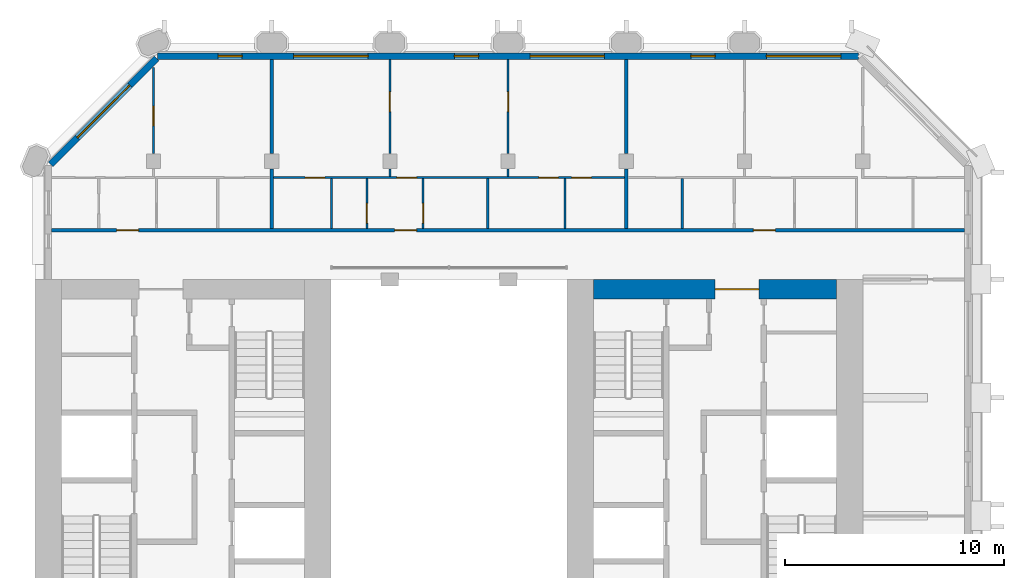
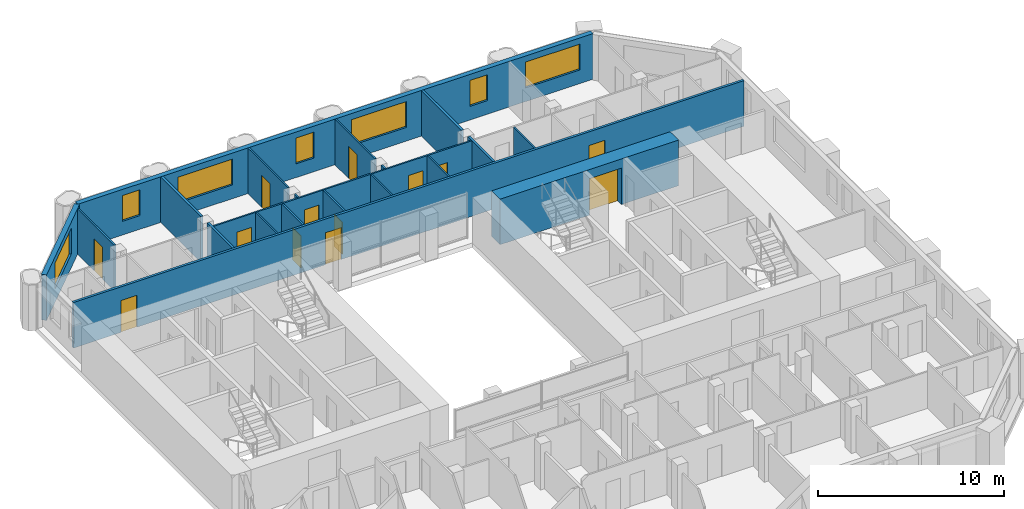
# One storey, part 10 of 13: 20 walls, 13 doors, 7 windows, 20 openings.
"""IFC4 building model written with IfcOpenShell, lengths in metres."""

from ifc_helpers import new_model, si_unit, direction, frame, frame_2d, origin, place, context, subcontext, project, spatial, rectangle, extrude, material, layer, layer_set, type_object, element, fill, save


model = new_model("IFC4")

# Units and contexts
model_context = context("Model", 3, precision=1e-05, world=origin(), true_north=direction((0.0, 1.0)))
body_context = subcontext(model_context, "Body", "Model", "MODEL_VIEW")
ifc_project = project(units=[si_unit("LENGTHUNIT", "METRE"), si_unit("AREAUNIT", "SQUARE_METRE"), si_unit("VOLUMEUNIT", "CUBIC_METRE"), si_unit("PLANEANGLEUNIT", "RADIAN"), si_unit("MASSUNIT", "GRAM", prefix="KILO")], contexts=[model_context])

# Site, building, storey
site_placement = place(None, origin())
site = spatial("IfcSite", under=ifc_project, at=site_placement, CompositionType="ELEMENT")
building_placement = place(site_placement, origin())
building = spatial("IfcBuilding", under=site, at=building_placement, Name="Tabaq Tower and Sports Hall", CompositionType="ELEMENT")
storey_placement = place(building_placement, frame((0.0, 0.0, 271.89990234375)))
storey = spatial("IfcBuildingStorey", under=building, at=storey_placement, Name="L66", CompositionType="ELEMENT", Elevation=271.89990234375)

# Wall, opening, door
ifc_material_1 = material(Name="Concrete C40/50", Category="concrete")
ifc_layer_1 = layer(ifc_material_1, 0.89990234375)
ifc_layer_set_1 = layer_set([ifc_layer_1], Name="Core wall 900 Concrete C40/50")
wall_type_1 = type_object("IfcWallType", Name="Core wall 900 Concrete C40/50", PredefinedType="SOLIDWALL", material=ifc_layer_set_1)
wall_1_placement = place(storey_placement, frame((30.89990234375, 31.949951171875, 0.0), z_axis=(0.0, 0.0, 1.0), x_axis=(1.0, 0.0, 0.0)))
wall_1 = element("IfcWall", 1, at=wall_1_placement, inside=storey, type_object=wall_type_1, Name="Core wall E L66", PredefinedType="SOLIDWALL", context=body_context, shape_type="SweptSolid", body=[
    extrude(rectangle(XDim=11.10009765625, YDim=0.89990234375, at=frame_2d((5.550048828125, 0.0))), origin(), (0.0, 0.0, 1.0), 3.0),
])
opening_1_placement = place(wall_1_placement, frame((5.550048828125, 0.0, 0.0)))
opening_1 = element("IfcOpeningElement", 2, at=opening_1_placement, cuts=wall_1, Name="Opening PD-EL66-02", PredefinedType="OPENING", context=body_context, shape_type="SweptSolid", body=[
    extrude(rectangle(XDim=2.0, YDim=2.39990234375, at=frame_2d((1.0, 1.199951171875))), frame((0.0, 0.449951171875, 0.0), z_axis=(0.0, -1.0, 0.0), x_axis=(1.0, 0.0, 0.0)), (0.0, 0.0, 1.0), 0.89990234375),
])
ifc_material_2 = material(Name="Steel fire door", Category="steel")
door_type_1 = type_object("IfcDoorType", Name="Core entrance door 2000", OperationType="DOUBLE_DOOR_SINGLE_SWING", PredefinedType="DOOR", material=ifc_material_2)
door_1_placement = place(opening_1_placement, origin())
door_1 = element("IfcDoor", 3, at=door_1_placement, inside=storey, type_object=door_type_1, Name="Core entrance north E L66", OperationType="DOUBLE_DOOR_SINGLE_SWING", OverallHeight=2.39990234375, OverallWidth=2.0, PredefinedType="DOOR", context=body_context, shape_type="SweptSolid", body=[
    extrude(rectangle(XDim=2.0, YDim=2.39990234375, at=frame_2d((1.0, 1.199951171875))), frame((0.0, 0.02490234375, 0.0), z_axis=(0.0, -1.0, 0.0), x_axis=(1.0, 0.0, 0.0)), (0.0, 0.0, 1.0), 0.050048828125),
])
fill(opening_1, door_1)

ifc_material_3 = material(Name="Gypsum board on steel studs", Category="steel")
ifc_layer_2 = layer(ifc_material_3, 0.10009765625)
ifc_layer_set_2 = layer_set([ifc_layer_2], Name="Partition 100 Gypsum board")
wall_type_2 = type_object("IfcWallType", Name="Partition 100 Gypsum board", PredefinedType="PARTITIONING", material=ifc_layer_set_2)
wall_2_placement = place(storey_placement, frame((10.800048828125, 38.14501953125, 0.0), z_axis=(0.0, 0.0, 1.0), x_axis=(0.0, 1.0, 0.0)))
wall_2 = element("IfcWall", 4, at=wall_2_placement, inside=storey, type_object=wall_type_2, Name="Partition wall L66", PredefinedType="PARTITIONING", context=body_context, shape_type="SweptSolid", body=[
    extrude(rectangle(XDim=3.94287109375, YDim=0.10009765625, at=frame_2d((1.971435546875, 0.0))), origin(), (0.0, 0.0, 1.0), 3.0),
])
opening_2_placement = place(wall_2_placement, frame((1.273681640625, 0.0, 0.0)))
opening_2 = element("IfcOpeningElement", 5, at=opening_2_placement, cuts=wall_2, Name="Opening L66-031", PredefinedType="OPENING", context=body_context, shape_type="SweptSolid", body=[
    extrude(rectangle(XDim=0.89990234375, YDim=2.10009765625, at=frame_2d((0.449951171875, 1.050048828125))), frame((0.0, 0.050048828125, 0.0), z_axis=(0.0, -1.0, 0.0), x_axis=(1.0, 0.0, 0.0)), (0.0, 0.0, 1.0), 0.10009765625),
])
ifc_material_4 = material(Name="Timber leaf in steel frame", Category="steel")
door_type_2 = type_object("IfcDoorType", Name="Internal door 900 left hand", OperationType="SINGLE_SWING_LEFT", PredefinedType="DOOR", material=ifc_material_4)
door_2_placement = place(opening_2_placement, origin())
door_2 = element("IfcDoor", 6, at=door_2_placement, inside=storey, type_object=door_type_2, Name="Internal door L66-031", OperationType="SINGLE_SWING_LEFT", OverallHeight=2.10009765625, OverallWidth=0.89990234375, PredefinedType="DOOR", context=body_context, shape_type="SweptSolid", body=[
    extrude(rectangle(XDim=0.89990234375, YDim=2.10009765625, at=frame_2d((0.449951171875, 1.050048828125))), frame((0.0, 0.02490234375, 0.0), z_axis=(0.0, -1.0, 0.0), x_axis=(1.0, 0.0, 0.0)), (0.0, 0.0, 1.0), 0.050048828125),
])
fill(opening_2, door_2)

# Wall
wall_3_placement = place(storey_placement, frame((21.60009765625, 37.10009765625, 0.0), z_axis=(0.0, 0.0, 1.0), x_axis=(0.0, 1.0, 0.0)))
element("IfcWall", 7, at=wall_3_placement, inside=storey, type_object=wall_type_2, Name="Partition wall L66", PredefinedType="PARTITIONING", context=body_context, shape_type="SweptSolid", body=[
    extrude(rectangle(XDim=0.35498046875, YDim=0.10009765625, at=frame_2d((0.177490234375, 0.0))), origin(), (0.0, 0.0, 1.0), 3.0),
])

# Wall, opening, door
wall_4_placement = place(storey_placement, frame((21.60009765625, 38.14501953125, 0.0), z_axis=(0.0, 0.0, 1.0), x_axis=(0.0, 1.0, 0.0)))
wall_4 = element("IfcWall", 8, at=wall_4_placement, inside=storey, type_object=wall_type_2, Name="Partition wall L66", PredefinedType="PARTITIONING", context=body_context, shape_type="SweptSolid", body=[
    extrude(rectangle(XDim=4.303955078125, YDim=0.10009765625, at=frame_2d((2.15185546875, 0.0))), origin(), (0.0, 0.0, 1.0), 3.0),
])
opening_3_placement = place(wall_4_placement, frame((1.91796875, 0.0, 0.0)))
opening_3 = element("IfcOpeningElement", 9, at=opening_3_placement, cuts=wall_4, Name="Opening L66-034", PredefinedType="OPENING", context=body_context, shape_type="SweptSolid", body=[
    extrude(rectangle(XDim=0.89990234375, YDim=2.10009765625, at=frame_2d((0.449951171875, 1.050048828125))), frame((0.0, 0.050048828125, 0.0), z_axis=(0.0, -1.0, 0.0), x_axis=(1.0, 0.0, 0.0)), (0.0, 0.0, 1.0), 0.10009765625),
])
door_3_placement = place(opening_3_placement, origin())
door_3 = element("IfcDoor", 10, at=door_3_placement, inside=storey, type_object=door_type_2, Name="Internal door L66-034", OperationType="SINGLE_SWING_LEFT", OverallHeight=2.10009765625, OverallWidth=0.89990234375, PredefinedType="DOOR", context=body_context, shape_type="SweptSolid", body=[
    extrude(rectangle(XDim=0.89990234375, YDim=2.10009765625, at=frame_2d((0.449951171875, 1.050048828125))), frame((0.0, 0.02490234375, 0.0), z_axis=(0.0, -1.0, 0.0), x_axis=(1.0, 0.0, 0.0)), (0.0, 0.0, 1.0), 0.050048828125),
])
fill(opening_3, door_3)

# Wall
wall_5_placement = place(storey_placement, frame((27.0, 37.10009765625, 0.0), z_axis=(0.0, 0.0, 1.0), x_axis=(0.0, 1.0, 0.0)))
element("IfcWall", 11, at=wall_5_placement, inside=storey, type_object=wall_type_2, Name="Partition wall L66", PredefinedType="PARTITIONING", context=body_context, shape_type="SweptSolid", body=[
    extrude(rectangle(XDim=0.35498046875, YDim=0.10009765625, at=frame_2d((0.177490234375, 0.0))), origin(), (0.0, 0.0, 1.0), 3.0),
])

# Wall, opening, door
wall_6_placement = place(storey_placement, frame((27.0, 38.14501953125, 0.0), z_axis=(0.0, 0.0, 1.0), x_axis=(0.0, 1.0, 0.0)))
wall_6 = element("IfcWall", 12, at=wall_6_placement, inside=storey, type_object=wall_type_2, Name="Partition wall L66", PredefinedType="PARTITIONING", context=body_context, shape_type="SweptSolid", body=[
    extrude(rectangle(XDim=4.303955078125, YDim=0.10009765625, at=frame_2d((2.15185546875, 0.0))), origin(), (0.0, 0.0, 1.0), 3.0),
])
opening_4_placement = place(wall_6_placement, frame((1.91796875, 0.0, 0.0)))
opening_4 = element("IfcOpeningElement", 13, at=opening_4_placement, cuts=wall_6, Name="Opening L66-051", PredefinedType="OPENING", context=body_context, shape_type="SweptSolid", body=[
    extrude(rectangle(XDim=0.89990234375, YDim=2.10009765625, at=frame_2d((0.449951171875, 1.050048828125))), frame((0.0, 0.050048828125, 0.0), z_axis=(0.0, -1.0, 0.0), x_axis=(1.0, 0.0, 0.0)), (0.0, 0.0, 1.0), 0.10009765625),
])
ifc_material_5 = material(Name="Timber leaf in steel frame", Category="steel")
door_type_3 = type_object("IfcDoorType", Name="Internal door 900 right hand", OperationType="SINGLE_SWING_RIGHT", PredefinedType="DOOR", material=ifc_material_5)
door_4_placement = place(opening_4_placement, origin())
door_4 = element("IfcDoor", 14, at=door_4_placement, inside=storey, type_object=door_type_3, Name="Internal door L66-051", OperationType="SINGLE_SWING_RIGHT", OverallHeight=2.10009765625, OverallWidth=0.89990234375, PredefinedType="DOOR", context=body_context, shape_type="SweptSolid", body=[
    extrude(rectangle(XDim=0.89990234375, YDim=2.10009765625, at=frame_2d((0.449951171875, 1.050048828125))), frame((0.0, 0.02490234375, 0.0), z_axis=(0.0, -1.0, 0.0), x_axis=(1.0, 0.0, 0.0)), (0.0, 0.0, 1.0), 0.050048828125),
])
fill(opening_4, door_4)

# Wall, openings, doors
wall_7_placement = place(storey_placement, frame((16.27490234375, 37.050048828125, 0.0), z_axis=(0.0, 0.0, 1.0), x_axis=(1.0, 0.0, 0.0)))
wall_7 = element("IfcWall", 15, at=wall_7_placement, inside=storey, type_object=wall_type_2, Name="Partition wall L66", PredefinedType="PARTITIONING", context=body_context, shape_type="SweptSolid", body=[
    extrude(rectangle(XDim=16.050048828125, YDim=0.10009765625, at=frame_2d((8.02490234375, 0.0))), origin(), (0.0, 0.0, 1.0), 3.0),
])
opening_5_placement = place(wall_7_placement, frame((1.452880859375, 0.0, 0.0)))
opening_5 = element("IfcOpeningElement", 16, at=opening_5_placement, cuts=wall_7, Name="Opening L66-003", PredefinedType="OPENING", context=body_context, shape_type="SweptSolid", body=[
    extrude(rectangle(XDim=0.89990234375, YDim=2.10009765625, at=frame_2d((0.449951171875, 1.050048828125))), frame((0.0, 0.050048828125, 0.0), z_axis=(0.0, -1.0, 0.0), x_axis=(1.0, 0.0, 0.0)), (0.0, 0.0, 1.0), 0.10009765625),
])
opening_6_placement = place(wall_7_placement, frame((12.125, 0.0, 0.0)))
opening_6 = element("IfcOpeningElement", 17, at=opening_6_placement, cuts=wall_7, Name="Opening L66-004", PredefinedType="OPENING", context=body_context, shape_type="SweptSolid", body=[
    extrude(rectangle(XDim=0.89990234375, YDim=2.10009765625, at=frame_2d((0.449951171875, 1.050048828125))), frame((0.0, 0.050048828125, 0.0), z_axis=(0.0, -1.0, 0.0), x_axis=(1.0, 0.0, 0.0)), (0.0, 0.0, 1.0), 0.10009765625),
])
opening_7_placement = place(wall_7_placement, frame((13.625, 0.0, 0.0)))
opening_7 = element("IfcOpeningElement", 18, at=opening_7_placement, cuts=wall_7, Name="Opening L66-005", PredefinedType="OPENING", context=body_context, shape_type="SweptSolid", body=[
    extrude(rectangle(XDim=0.89990234375, YDim=2.10009765625, at=frame_2d((0.449951171875, 1.050048828125))), frame((0.0, 0.050048828125, 0.0), z_axis=(0.0, -1.0, 0.0), x_axis=(1.0, 0.0, 0.0)), (0.0, 0.0, 1.0), 0.10009765625),
])
opening_8_placement = place(wall_7_placement, frame((5.64404296875, 0.0, 0.0)))
opening_8 = element("IfcOpeningElement", 19, at=opening_8_placement, cuts=wall_7, Name="Opening L66-052", PredefinedType="OPENING", context=body_context, shape_type="SweptSolid", body=[
    extrude(rectangle(XDim=0.89990234375, YDim=2.10009765625, at=frame_2d((0.449951171875, 1.050048828125))), frame((0.0, 0.050048828125, 0.0), z_axis=(0.0, -1.0, 0.0), x_axis=(1.0, 0.0, 0.0)), (0.0, 0.0, 1.0), 0.10009765625),
])
door_5_placement = place(opening_6_placement, origin())
door_5 = element("IfcDoor", 20, at=door_5_placement, inside=storey, type_object=door_type_2, Name="Internal door L66-004", OperationType="SINGLE_SWING_LEFT", OverallHeight=2.10009765625, OverallWidth=0.89990234375, PredefinedType="DOOR", context=body_context, shape_type="SweptSolid", body=[
    extrude(rectangle(XDim=0.89990234375, YDim=2.10009765625, at=frame_2d((0.449951171875, 1.050048828125))), frame((0.0, 0.02490234375, 0.0), z_axis=(0.0, -1.0, 0.0), x_axis=(1.0, 0.0, 0.0)), (0.0, 0.0, 1.0), 0.050048828125),
])
fill(opening_6, door_5)
door_6_placement = place(opening_5_placement, origin())
door_6 = element("IfcDoor", 21, at=door_6_placement, inside=storey, type_object=door_type_3, Name="Internal door L66-003", OperationType="SINGLE_SWING_RIGHT", OverallHeight=2.10009765625, OverallWidth=0.89990234375, PredefinedType="DOOR", context=body_context, shape_type="SweptSolid", body=[
    extrude(rectangle(XDim=0.89990234375, YDim=2.10009765625, at=frame_2d((0.449951171875, 1.050048828125))), frame((0.0, 0.02490234375, 0.0), z_axis=(0.0, -1.0, 0.0), x_axis=(1.0, 0.0, 0.0)), (0.0, 0.0, 1.0), 0.050048828125),
])
fill(opening_5, door_6)
door_7_placement = place(opening_7_placement, origin())
door_7 = element("IfcDoor", 22, at=door_7_placement, inside=storey, type_object=door_type_3, Name="Internal door L66-005", OperationType="SINGLE_SWING_RIGHT", OverallHeight=2.10009765625, OverallWidth=0.89990234375, PredefinedType="DOOR", context=body_context, shape_type="SweptSolid", body=[
    extrude(rectangle(XDim=0.89990234375, YDim=2.10009765625, at=frame_2d((0.449951171875, 1.050048828125))), frame((0.0, 0.02490234375, 0.0), z_axis=(0.0, -1.0, 0.0), x_axis=(1.0, 0.0, 0.0)), (0.0, 0.0, 1.0), 0.050048828125),
])
fill(opening_7, door_7)
door_8_placement = place(opening_8_placement, origin())
door_8 = element("IfcDoor", 23, at=door_8_placement, inside=storey, type_object=door_type_3, Name="Internal door L66-052", OperationType="SINGLE_SWING_RIGHT", OverallHeight=2.10009765625, OverallWidth=0.89990234375, PredefinedType="DOOR", context=body_context, shape_type="SweptSolid", body=[
    extrude(rectangle(XDim=0.89990234375, YDim=2.10009765625, at=frame_2d((0.449951171875, 1.050048828125))), frame((0.0, 0.02490234375, 0.0), z_axis=(0.0, -1.0, 0.0), x_axis=(1.0, 0.0, 0.0)), (0.0, 0.0, 1.0), 0.050048828125),
])
fill(opening_8, door_8)

# Wall
wall_8_placement = place(storey_placement, frame((18.927978515625, 34.72509765625, 0.0), z_axis=(0.0, 0.0, 1.0), x_axis=(0.0, 1.0, 0.0)))
element("IfcWall", 24, at=wall_8_placement, inside=storey, type_object=wall_type_2, Name="Partition wall L66", PredefinedType="PARTITIONING", context=body_context, shape_type="SweptSolid", body=[
    extrude(rectangle(XDim=2.27490234375, YDim=0.10009765625, at=frame_2d((1.137451171875, 0.0))), origin(), (0.0, 0.0, 1.0), 3.0),
])

# Wall, opening, door
wall_9_placement = place(storey_placement, frame((20.551025390625, 34.72509765625, 0.0), z_axis=(0.0, 0.0, 1.0), x_axis=(0.0, 1.0, 0.0)))
wall_9 = element("IfcWall", 25, at=wall_9_placement, inside=storey, type_object=wall_type_2, Name="Partition wall L66", PredefinedType="PARTITIONING", context=body_context, shape_type="SweptSolid", body=[
    extrude(rectangle(XDim=2.27490234375, YDim=0.10009765625, at=frame_2d((1.137451171875, 0.0))), origin(), (0.0, 0.0, 1.0), 3.0),
])
opening_9_placement = place(wall_9_placement, frame((0.25, 0.0, 0.0)))
opening_9 = element("IfcOpeningElement", 26, at=opening_9_placement, cuts=wall_9, Name="Opening L66-006", PredefinedType="OPENING", context=body_context, shape_type="SweptSolid", body=[
    extrude(rectangle(XDim=0.89990234375, YDim=2.10009765625, at=frame_2d((0.449951171875, 1.050048828125))), frame((0.0, 0.050048828125, 0.0), z_axis=(0.0, -1.0, 0.0), x_axis=(1.0, 0.0, 0.0)), (0.0, 0.0, 1.0), 0.10009765625),
])
door_9_placement = place(opening_9_placement, origin())
door_9 = element("IfcDoor", 27, at=door_9_placement, inside=storey, type_object=door_type_3, Name="Internal door L66-006", OperationType="SINGLE_SWING_RIGHT", OverallHeight=2.10009765625, OverallWidth=0.89990234375, PredefinedType="DOOR", context=body_context, shape_type="SweptSolid", body=[
    extrude(rectangle(XDim=0.89990234375, YDim=2.10009765625, at=frame_2d((0.449951171875, 1.050048828125))), frame((0.0, 0.02490234375, 0.0), z_axis=(0.0, -1.0, 0.0), x_axis=(1.0, 0.0, 0.0)), (0.0, 0.0, 1.0), 0.050048828125),
])
fill(opening_9, door_9)

wall_10_placement = place(storey_placement, frame((23.118896484375, 34.72509765625, 0.0), z_axis=(0.0, 0.0, 1.0), x_axis=(0.0, 1.0, 0.0)))
wall_10 = element("IfcWall", 28, at=wall_10_placement, inside=storey, type_object=wall_type_2, Name="Partition wall L66", PredefinedType="PARTITIONING", context=body_context, shape_type="SweptSolid", body=[
    extrude(rectangle(XDim=2.27490234375, YDim=0.10009765625, at=frame_2d((1.137451171875, 0.0))), origin(), (0.0, 0.0, 1.0), 3.0),
])
opening_10_placement = place(wall_10_placement, frame((0.25, 0.0, 0.0)))
opening_10 = element("IfcOpeningElement", 29, at=opening_10_placement, cuts=wall_10, Name="Opening L66-007", PredefinedType="OPENING", context=body_context, shape_type="SweptSolid", body=[
    extrude(rectangle(XDim=0.89990234375, YDim=2.10009765625, at=frame_2d((0.449951171875, 1.050048828125))), frame((0.0, 0.050048828125, 0.0), z_axis=(0.0, -1.0, 0.0), x_axis=(1.0, 0.0, 0.0)), (0.0, 0.0, 1.0), 0.10009765625),
])
door_10_placement = place(opening_10_placement, origin())
door_10 = element("IfcDoor", 30, at=door_10_placement, inside=storey, type_object=door_type_2, Name="Internal door L66-007", OperationType="SINGLE_SWING_LEFT", OverallHeight=2.10009765625, OverallWidth=0.89990234375, PredefinedType="DOOR", context=body_context, shape_type="SweptSolid", body=[
    extrude(rectangle(XDim=0.89990234375, YDim=2.10009765625, at=frame_2d((0.449951171875, 1.050048828125))), frame((0.0, 0.02490234375, 0.0), z_axis=(0.0, -1.0, 0.0), x_axis=(1.0, 0.0, 0.0)), (0.0, 0.0, 1.0), 0.050048828125),
])
fill(opening_10, door_10)

# Walls
for number, where, z_axis, x_axis, name in (
    (31, (26.069091796875, 34.72509765625, 0.0), (0.0, 0.0, 1.0), (0.0, 1.0, 0.0), "Partition wall L66"),
    (32, (29.60009765625, 34.72509765625, 0.0), (0.0, 0.0, 1.0), (0.0, 1.0, 0.0), "Partition wall L66"),
    (33, (34.949951171875, 34.72509765625, 0.0), (0.0, 0.0, 1.0), (0.0, 1.0, 0.0), "Partition wall L66"),
):
    element("IfcWall", number, at=place(storey_placement, frame(where, z_axis=z_axis, x_axis=x_axis)), inside=storey, type_object=wall_type_2, Name=name, PredefinedType="PARTITIONING", context=body_context, shape_type="SweptSolid", body=[
        extrude(rectangle(XDim=2.27490234375, YDim=0.10009765625, at=frame_2d((1.137451171875, 0.0))), origin(), (0.0, 0.0, 1.0), 3.0),
    ])
ifc_material_6 = material(Name="Blockwork", Category="masonry")
ifc_layer_3 = layer(ifc_material_6, 0.14990234375)
ifc_layer_set_3 = layer_set([ifc_layer_3], Name="Separating wall 150 Blockwork")
wall_type_3 = type_object("IfcWallType", Name="Separating wall 150 Blockwork", PredefinedType="PARTITIONING", material=ifc_layer_set_3)
wall_11_placement = place(storey_placement, frame((16.199951171875, 38.14501953125, 0.0), z_axis=(0.0, 0.0, 1.0), x_axis=(0.0, 1.0, 0.0)))
element("IfcWall", 34, at=wall_11_placement, inside=storey, type_object=wall_type_3, Name="Separating wall L66", PredefinedType="PARTITIONING", context=body_context, shape_type="SweptSolid", body=[
    extrude(rectangle(XDim=4.303955078125, YDim=0.14990234375, at=frame_2d((2.15185546875, 0.0))), origin(), (0.0, 0.0, 1.0), 3.0),
])
wall_12_placement = place(storey_placement, frame((16.199951171875, 34.72509765625, 0.0), z_axis=(0.0, 0.0, 1.0), x_axis=(0.0, 1.0, 0.0)))
element("IfcWall", 35, at=wall_12_placement, inside=storey, type_object=wall_type_3, Name="Separating wall L66", PredefinedType="PARTITIONING", context=body_context, shape_type="SweptSolid", body=[
    extrude(rectangle(XDim=2.72998046875, YDim=0.14990234375, at=frame_2d((1.364990234375, 0.0))), origin(), (0.0, 0.0, 1.0), 3.0),
])
wall_13_placement = place(storey_placement, frame((32.39990234375, 38.14501953125, 0.0), z_axis=(0.0, 0.0, 1.0), x_axis=(0.0, 1.0, 0.0)))
element("IfcWall", 36, at=wall_13_placement, inside=storey, type_object=wall_type_3, Name="Separating wall L66", PredefinedType="PARTITIONING", context=body_context, shape_type="SweptSolid", body=[
    extrude(rectangle(XDim=4.303955078125, YDim=0.14990234375, at=frame_2d((2.15185546875, 0.0))), origin(), (0.0, 0.0, 1.0), 3.0),
])
wall_14_placement = place(storey_placement, frame((32.39990234375, 34.72509765625, 0.0), z_axis=(0.0, 0.0, 1.0), x_axis=(0.0, 1.0, 0.0)))
element("IfcWall", 37, at=wall_14_placement, inside=storey, type_object=wall_type_3, Name="Separating wall L66", PredefinedType="PARTITIONING", context=body_context, shape_type="SweptSolid", body=[
    extrude(rectangle(XDim=2.72998046875, YDim=0.14990234375, at=frame_2d((1.364990234375, 0.0))), origin(), (0.0, 0.0, 1.0), 3.0),
])

# Wall, openings, doors
wall_15_placement = place(storey_placement, frame((6.15087890625, 34.64990234375, 0.0), z_axis=(0.0, 0.0, 1.0), x_axis=(1.0, 0.0, 0.0)))
wall_15 = element("IfcWall", 38, at=wall_15_placement, inside=storey, type_object=wall_type_3, Name="Separating wall L66", PredefinedType="PARTITIONING", context=body_context, shape_type="SweptSolid", body=[
    extrude(rectangle(XDim=41.6982421875, YDim=0.14990234375, at=frame_2d((20.84912109375, 0.0))), origin(), (0.0, 0.0, 1.0), 3.0),
])
opening_11_placement = place(wall_15_placement, frame((2.968994140625, 0.0, 0.0)))
opening_11 = element("IfcOpeningElement", 39, at=opening_11_placement, cuts=wall_15, Name="Opening L66-059", PredefinedType="OPENING", context=body_context, shape_type="SweptSolid", body=[
    extrude(rectangle(XDim=1.0, YDim=2.10009765625, at=frame_2d((0.5, 1.050048828125))), frame((0.0, 0.074951171875, 0.0), z_axis=(0.0, -1.0, 0.0), x_axis=(1.0, 0.0, 0.0)), (0.0, 0.0, 1.0), 0.14990234375),
])
opening_12_placement = place(wall_15_placement, frame((15.66796875, 0.0, 0.0)))
opening_12 = element("IfcOpeningElement", 40, at=opening_12_placement, cuts=wall_15, Name="Opening L66-060", PredefinedType="OPENING", context=body_context, shape_type="SweptSolid", body=[
    extrude(rectangle(XDim=1.0, YDim=2.10009765625, at=frame_2d((0.5, 1.050048828125))), frame((0.0, 0.074951171875, 0.0), z_axis=(0.0, -1.0, 0.0), x_axis=(1.0, 0.0, 0.0)), (0.0, 0.0, 1.0), 0.14990234375),
])
opening_13_placement = place(wall_15_placement, frame((32.053955078125, 0.0, 0.0)))
opening_13 = element("IfcOpeningElement", 41, at=opening_13_placement, cuts=wall_15, Name="Opening L66-061", PredefinedType="OPENING", context=body_context, shape_type="SweptSolid", body=[
    extrude(rectangle(XDim=1.0, YDim=2.10009765625, at=frame_2d((0.5, 1.050048828125))), frame((0.0, 0.074951171875, 0.0), z_axis=(0.0, -1.0, 0.0), x_axis=(1.0, 0.0, 0.0)), (0.0, 0.0, 1.0), 0.14990234375),
])
ifc_material_7 = material(Name="Steel fire door", Category="steel")
door_type_4 = type_object("IfcDoorType", Name="Entrance door 1000 left hand", OperationType="SINGLE_SWING_LEFT", PredefinedType="DOOR", material=ifc_material_7)
door_11_placement = place(opening_12_placement, origin())
door_11 = element("IfcDoor", 42, at=door_11_placement, inside=storey, type_object=door_type_4, Name="Entrance door L66-060", OperationType="SINGLE_SWING_LEFT", OverallHeight=2.10009765625, OverallWidth=1.0, PredefinedType="DOOR", context=body_context, shape_type="SweptSolid", body=[
    extrude(rectangle(XDim=1.0, YDim=2.10009765625, at=frame_2d((0.5, 1.050048828125))), frame((0.0, 0.02490234375, 0.0), z_axis=(0.0, -1.0, 0.0), x_axis=(1.0, 0.0, 0.0)), (0.0, 0.0, 1.0), 0.050048828125),
])
fill(opening_12, door_11)
ifc_material_8 = material(Name="Steel fire door", Category="steel")
door_type_5 = type_object("IfcDoorType", Name="Entrance door 1000 right hand", OperationType="SINGLE_SWING_RIGHT", PredefinedType="DOOR", material=ifc_material_8)
door_12_placement = place(opening_11_placement, origin())
door_12 = element("IfcDoor", 43, at=door_12_placement, inside=storey, type_object=door_type_5, Name="Entrance door L66-059", OperationType="SINGLE_SWING_RIGHT", OverallHeight=2.10009765625, OverallWidth=1.0, PredefinedType="DOOR", context=body_context, shape_type="SweptSolid", body=[
    extrude(rectangle(XDim=1.0, YDim=2.10009765625, at=frame_2d((0.5, 1.050048828125))), frame((0.0, 0.02490234375, 0.0), z_axis=(0.0, -1.0, 0.0), x_axis=(1.0, 0.0, 0.0)), (0.0, 0.0, 1.0), 0.050048828125),
])
fill(opening_11, door_12)
door_13_placement = place(opening_13_placement, origin())
door_13 = element("IfcDoor", 44, at=door_13_placement, inside=storey, type_object=door_type_5, Name="Entrance door L66-061", OperationType="SINGLE_SWING_RIGHT", OverallHeight=2.10009765625, OverallWidth=1.0, PredefinedType="DOOR", context=body_context, shape_type="SweptSolid", body=[
    extrude(rectangle(XDim=1.0, YDim=2.10009765625, at=frame_2d((0.5, 1.050048828125))), frame((0.0, 0.02490234375, 0.0), z_axis=(0.0, -1.0, 0.0), x_axis=(1.0, 0.0, 0.0)), (0.0, 0.0, 1.0), 0.050048828125),
])
fill(opening_13, door_13)

# Wall, openings, windows
ifc_material_9 = material(Name="White precast concrete C60/75", Category="concrete")
ifc_layer_4 = layer(ifc_material_9, 0.300048828125)
ifc_layer_set_4 = layer_set([ifc_layer_4], Name="White precast concrete C60/75 external wall 300")
wall_type_4 = type_object("IfcWallType", Name="White precast concrete C60/75 external wall 300", PredefinedType="SOLIDWALL", material=ifc_layer_set_4)
wall_16_placement = place(storey_placement, frame((43.013671875, 42.60009765625, 0.0), z_axis=(0.0, 0.0, 1.0), x_axis=(-1.0, 0.0, 0.0)))
wall_16 = element("IfcWall", 45, at=wall_16_placement, inside=storey, type_object=wall_type_4, Name="External Wall L66 N", PredefinedType="SOLIDWALL", context=body_context, shape_type="SweptSolid", body=[
    extrude(rectangle(XDim=32.02734375, YDim=0.300048828125, at=frame_2d((16.013671875, 0.0))), origin(), (0.0, 0.0, 1.0), 3.0),
])
opening_14_placement = place(wall_16_placement, frame((0.813720703125, 0.0, 0.89990234375)))
opening_14 = element("IfcOpeningElement", 46, at=opening_14_placement, cuts=wall_16, Name="Opening W1A", PredefinedType="OPENING", context=body_context, shape_type="SweptSolid", body=[
    extrude(rectangle(XDim=3.39990234375, YDim=1.699951171875, at=frame_2d((1.699951171875, 0.85009765625))), frame((0.0, 0.16015625, 0.0), z_axis=(0.0, -1.0, 0.0), x_axis=(1.0, 0.0, 0.0)), (0.0, 0.0, 1.0), 0.320068359375),
])
opening_15_placement = place(wall_16_placement, frame((6.563720703125, 0.0, 0.89990234375)))
opening_15 = element("IfcOpeningElement", 47, at=opening_15_placement, cuts=wall_16, Name="Opening W1B", PredefinedType="OPENING", context=body_context, shape_type="SweptSolid", body=[
    extrude(rectangle(XDim=1.10009765625, YDim=1.699951171875, at=frame_2d((0.550048828125, 0.85009765625))), frame((0.0, 0.16015625, 0.0), z_axis=(0.0, -1.0, 0.0), x_axis=(1.0, 0.0, 0.0)), (0.0, 0.0, 1.0), 0.320068359375),
])
opening_16_placement = place(wall_16_placement, frame((11.613525390625, 0.0, 0.89990234375)))
opening_16 = element("IfcOpeningElement", 48, at=opening_16_placement, cuts=wall_16, Name="Opening W1A", PredefinedType="OPENING", context=body_context, shape_type="SweptSolid", body=[
    extrude(rectangle(XDim=3.39990234375, YDim=1.699951171875, at=frame_2d((1.699951171875, 0.85009765625))), frame((0.0, 0.16015625, 0.0), z_axis=(0.0, -1.0, 0.0), x_axis=(1.0, 0.0, 0.0)), (0.0, 0.0, 1.0), 0.320068359375),
])
opening_17_placement = place(wall_16_placement, frame((17.363525390625, 0.0, 0.89990234375)))
opening_17 = element("IfcOpeningElement", 49, at=opening_17_placement, cuts=wall_16, Name="Opening W1B", PredefinedType="OPENING", context=body_context, shape_type="SweptSolid", body=[
    extrude(rectangle(XDim=1.10009765625, YDim=1.699951171875, at=frame_2d((0.550048828125, 0.85009765625))), frame((0.0, 0.16015625, 0.0), z_axis=(0.0, -1.0, 0.0), x_axis=(1.0, 0.0, 0.0)), (0.0, 0.0, 1.0), 0.320068359375),
])
opening_18_placement = place(wall_16_placement, frame((22.41357421875, 0.0, 0.89990234375)))
opening_18 = element("IfcOpeningElement", 50, at=opening_18_placement, cuts=wall_16, Name="Opening W1A", PredefinedType="OPENING", context=body_context, shape_type="SweptSolid", body=[
    extrude(rectangle(XDim=3.39990234375, YDim=1.699951171875, at=frame_2d((1.699951171875, 0.85009765625))), frame((0.0, 0.16015625, 0.0), z_axis=(0.0, -1.0, 0.0), x_axis=(1.0, 0.0, 0.0)), (0.0, 0.0, 1.0), 0.320068359375),
])
opening_19_placement = place(wall_16_placement, frame((28.16357421875, 0.0, 0.89990234375)))
opening_19 = element("IfcOpeningElement", 51, at=opening_19_placement, cuts=wall_16, Name="Opening W1B", PredefinedType="OPENING", context=body_context, shape_type="SweptSolid", body=[
    extrude(rectangle(XDim=1.10009765625, YDim=1.699951171875, at=frame_2d((0.550048828125, 0.85009765625))), frame((0.0, 0.16015625, 0.0), z_axis=(0.0, -1.0, 0.0), x_axis=(1.0, 0.0, 0.0)), (0.0, 0.0, 1.0), 0.320068359375),
])
ifc_material_10 = material(Name="Aluminium framed clear glazing", Category="aluminium")
window_type_1 = type_object("IfcWindowType", Name="Window W1A", PartitioningType="SINGLE_PANEL", PredefinedType="WINDOW", material=ifc_material_10)
window_1_placement = place(opening_14_placement, origin())
window_1 = element("IfcWindow", 52, at=window_1_placement, inside=storey, type_object=window_type_1, Name="Window W1A L66", OverallHeight=1.699951171875, OverallWidth=3.39990234375, PartitioningType="SINGLE_PANEL", PredefinedType="WINDOW", context=body_context, shape_type="SweptSolid", body=[
    extrude(rectangle(XDim=3.39990234375, YDim=1.699951171875, at=frame_2d((1.699951171875, 0.85009765625))), frame((0.0, 0.030029296875, 0.0), z_axis=(0.0, -1.0, 0.0), x_axis=(1.0, 0.0, 0.0)), (0.0, 0.0, 1.0), 0.06005859375),
])
fill(opening_14, window_1)
window_2_placement = place(opening_16_placement, origin())
window_2 = element("IfcWindow", 53, at=window_2_placement, inside=storey, type_object=window_type_1, Name="Window W1A L66", OverallHeight=1.699951171875, OverallWidth=3.39990234375, PartitioningType="SINGLE_PANEL", PredefinedType="WINDOW", context=body_context, shape_type="SweptSolid", body=[
    extrude(rectangle(XDim=3.39990234375, YDim=1.699951171875, at=frame_2d((1.699951171875, 0.85009765625))), frame((0.0, 0.030029296875, 0.0), z_axis=(0.0, -1.0, 0.0), x_axis=(1.0, 0.0, 0.0)), (0.0, 0.0, 1.0), 0.06005859375),
])
fill(opening_16, window_2)
window_3_placement = place(opening_18_placement, origin())
window_3 = element("IfcWindow", 54, at=window_3_placement, inside=storey, type_object=window_type_1, Name="Window W1A L66", OverallHeight=1.699951171875, OverallWidth=3.39990234375, PartitioningType="SINGLE_PANEL", PredefinedType="WINDOW", context=body_context, shape_type="SweptSolid", body=[
    extrude(rectangle(XDim=3.39990234375, YDim=1.699951171875, at=frame_2d((1.699951171875, 0.85009765625))), frame((0.0, 0.030029296875, 0.0), z_axis=(0.0, -1.0, 0.0), x_axis=(1.0, 0.0, 0.0)), (0.0, 0.0, 1.0), 0.06005859375),
])
fill(opening_18, window_3)
ifc_material_11 = material(Name="Aluminium framed clear glazing", Category="aluminium")
window_type_2 = type_object("IfcWindowType", Name="Window W1B", PartitioningType="SINGLE_PANEL", PredefinedType="WINDOW", material=ifc_material_11)
window_4_placement = place(opening_15_placement, origin())
window_4 = element("IfcWindow", 55, at=window_4_placement, inside=storey, type_object=window_type_2, Name="Window W1B L66", OverallHeight=1.699951171875, OverallWidth=1.10009765625, PartitioningType="SINGLE_PANEL", PredefinedType="WINDOW", context=body_context, shape_type="SweptSolid", body=[
    extrude(rectangle(XDim=1.10009765625, YDim=1.699951171875, at=frame_2d((0.550048828125, 0.85009765625))), frame((0.0, 0.030029296875, 0.0), z_axis=(0.0, -1.0, 0.0), x_axis=(1.0, 0.0, 0.0)), (0.0, 0.0, 1.0), 0.06005859375),
])
fill(opening_15, window_4)
window_5_placement = place(opening_17_placement, origin())
window_5 = element("IfcWindow", 56, at=window_5_placement, inside=storey, type_object=window_type_2, Name="Window W1B L66", OverallHeight=1.699951171875, OverallWidth=1.10009765625, PartitioningType="SINGLE_PANEL", PredefinedType="WINDOW", context=body_context, shape_type="SweptSolid", body=[
    extrude(rectangle(XDim=1.10009765625, YDim=1.699951171875, at=frame_2d((0.550048828125, 0.85009765625))), frame((0.0, 0.030029296875, 0.0), z_axis=(0.0, -1.0, 0.0), x_axis=(1.0, 0.0, 0.0)), (0.0, 0.0, 1.0), 0.06005859375),
])
fill(opening_17, window_5)
window_6_placement = place(opening_19_placement, origin())
window_6 = element("IfcWindow", 57, at=window_6_placement, inside=storey, type_object=window_type_2, Name="Window W1B L66", OverallHeight=1.699951171875, OverallWidth=1.10009765625, PartitioningType="SINGLE_PANEL", PredefinedType="WINDOW", context=body_context, shape_type="SweptSolid", body=[
    extrude(rectangle(XDim=1.10009765625, YDim=1.699951171875, at=frame_2d((0.550048828125, 0.85009765625))), frame((0.0, 0.030029296875, 0.0), z_axis=(0.0, -1.0, 0.0), x_axis=(1.0, 0.0, 0.0)), (0.0, 0.0, 1.0), 0.06005859375),
])
fill(opening_19, window_6)

# Wall, opening, window
wall_17_placement = place(storey_placement, frame((10.949462890625, 42.5009765625, 0.0), z_axis=(0.0, 0.0, 1.0), x_axis=(-0.707106781187, -0.707106781187, 0.0)))
wall_17 = element("IfcWall", 58, at=wall_17_placement, inside=storey, type_object=wall_type_4, Name="External Wall L66 NW", PredefinedType="SOLIDWALL", context=body_context, shape_type="SweptSolid", body=[
    extrude(rectangle(XDim=6.85986328125, YDim=0.300048828125, at=frame_2d((3.429931640625, 0.0))), origin(), (0.0, 0.0, 1.0), 3.0),
])
opening_20_placement = place(wall_17_placement, frame((1.729736328125, 0.0, 0.89990234375)))
opening_20 = element("IfcOpeningElement", 59, at=opening_20_placement, cuts=wall_17, Name="Opening W1A", PredefinedType="OPENING", context=body_context, shape_type="SweptSolid", body=[
    extrude(rectangle(XDim=3.39990234375, YDim=1.699951171875, at=frame_2d((1.699951171875, 0.85009765625))), frame((0.0, 0.16015625, 0.0), z_axis=(0.0, -1.0, 0.0), x_axis=(1.0, 0.0, 0.0)), (0.0, 0.0, 1.0), 0.320068359375),
])
window_7_placement = place(opening_20_placement, origin())
window_7 = element("IfcWindow", 60, at=window_7_placement, inside=storey, type_object=window_type_1, Name="Window W1A L66", OverallHeight=1.699951171875, OverallWidth=3.39990234375, PartitioningType="SINGLE_PANEL", PredefinedType="WINDOW", context=body_context, shape_type="SweptSolid", body=[
    extrude(rectangle(XDim=3.39990234375, YDim=1.699951171875, at=frame_2d((1.699951171875, 0.85009765625))), frame((0.0, 0.030029296875, 0.0), z_axis=(0.0, -1.0, 0.0), x_axis=(1.0, 0.0, 0.0)), (0.0, 0.0, 1.0), 0.06005859375),
])
fill(opening_20, window_7)

save(model, "model.ifc")
